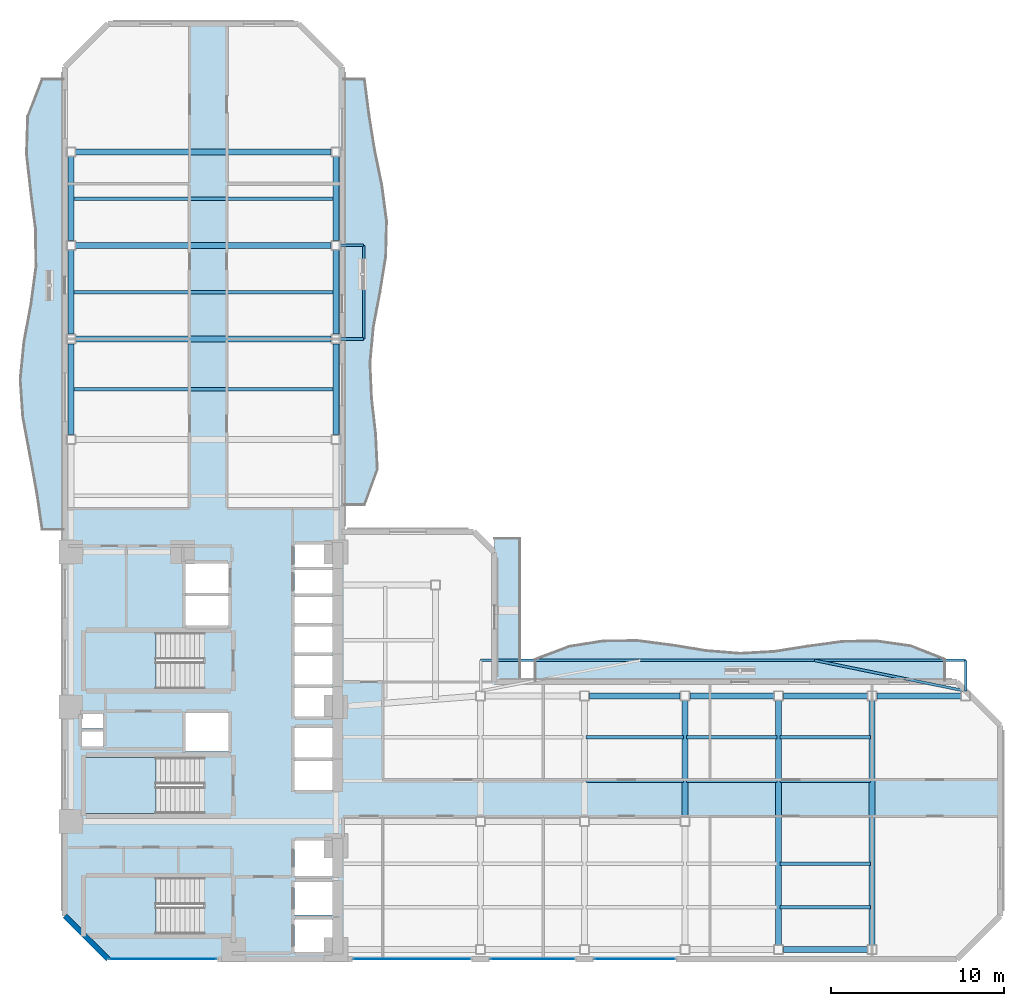
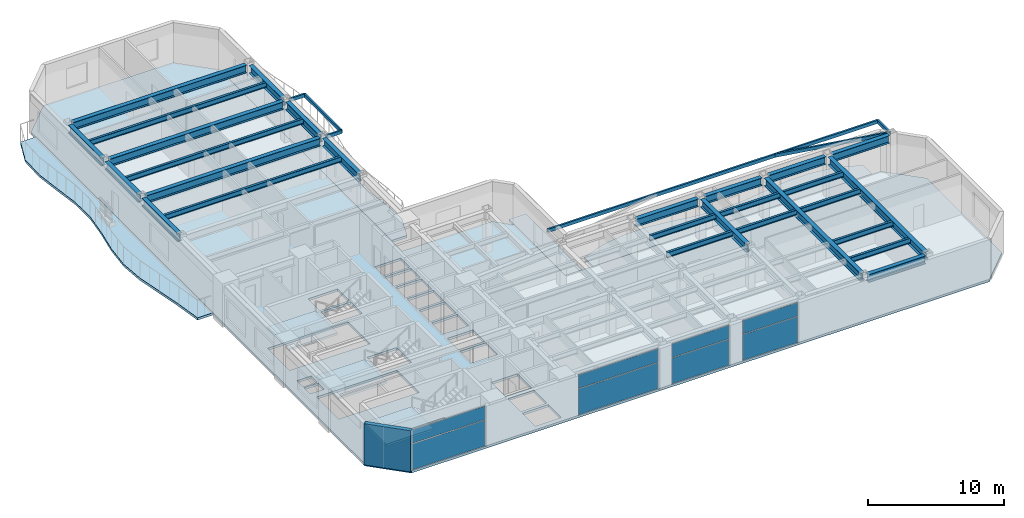
# One storey, part 8 of 17: 34 beams, 8 plates, 8 slabs, 1 wall, 7 elements without a shape of their own.
"""IFC4 building model written with IfcOpenShell, lengths in metres."""

from ifc_helpers import new_model, si_unit, direction, frame, frame_2d, origin, origin_2d, place, context, subcontext, project, spatial, polyline, rectangle, hollow_rectangle, i_section, outline, extrude, material, layer, layer_set, material_profile, profile_set, type_object, element, aggregate, save


model = new_model("IFC4")

# Units and contexts
model_context = context("Model", 3, precision=1e-05, world=origin(), true_north=direction((0.0, 1.0)))
body_context = subcontext(model_context, "Body", "Model", "MODEL_VIEW")
ifc_project = project(units=[si_unit("LENGTHUNIT", "METRE"), si_unit("AREAUNIT", "SQUARE_METRE"), si_unit("VOLUMEUNIT", "CUBIC_METRE"), si_unit("PLANEANGLEUNIT", "RADIAN"), si_unit("MASSUNIT", "GRAM", prefix="KILO")], contexts=[model_context])

# Site, building, storey
site_placement = place(None, origin())
site = spatial("IfcSite", under=ifc_project, at=site_placement, CompositionType="ELEMENT")
building_placement = place(site_placement, origin())
building = spatial("IfcBuilding", under=site, at=building_placement, Name="Mawjaban Terraces University", CompositionType="ELEMENT")
storey_placement = place(building_placement, frame((0.0, 0.0, 85.60009765625)))
storey = spatial("IfcBuildingStorey", under=building, at=storey_placement, Name="L20", CompositionType="ELEMENT", Elevation=85.60009765625)

# Beams
ifc_material_1 = material(Name="Steel EN 10210-1 S355J2H", Category="steel")
ifc_material_profile_1 = material_profile(ifc_material_1, hollow_rectangle(XDim=0.14990234375, YDim=0.300048828125, WallThickness=0.012451171875, at=origin_2d()), Name="RHS300X150X12.5")
ifc_profile_set_1 = profile_set([ifc_material_profile_1], Name="Steel EN 10210-1 S355J2H")
beam_type_1 = type_object("IfcBeamType", Name="BalconyCantileverSpandrel_RHS", PredefinedType="SPANDREL", material=ifc_profile_set_1)
beam_1_placement = place(storey_placement, frame((74.0, 15.47509765625, 3.539794921875), z_axis=(0.0, 1.0, 0.0), x_axis=(-1.0, 0.0, 0.0)))
element("IfcBeam", 1, at=beam_1_placement, inside=storey, type_object=beam_type_1, Name="L20 Exterior Outrigger BAL-L21-N.2", PredefinedType="SPANDREL", context=body_context, shape_type="SweptSolid", body=[
    extrude(hollow_rectangle(XDim=0.14990234375, YDim=0.300048828125, WallThickness=0.012451171875, at=origin_2d()), origin(), (0.0, 0.0, 1.0), 1.77490234375),
])
beam_2_placement = place(storey_placement, frame((46.0, 17.25, 3.539794921875), z_axis=(1.0, 0.0, 0.0), x_axis=(0.0, 1.0, 0.0)))
element("IfcBeam", 2, at=beam_2_placement, inside=storey, type_object=beam_type_1, Name="L20 Exterior Edge Spandrel BAL-L21-N", PredefinedType="SPANDREL", context=body_context, shape_type="SweptSolid", body=[
    extrude(hollow_rectangle(XDim=0.14990234375, YDim=0.300048828125, WallThickness=0.012451171875, at=origin_2d()), origin(), (0.0, 0.0, 1.0), 28.0),
])
beam_3_placement = place(storey_placement, frame((74.0, 15.47509765625, 3.539794921875), z_axis=(-0.979951719054, 0.199235108158, 0.0), x_axis=(-0.199235108158, -0.979951719054, 0.0)))
element("IfcBeam", 3, at=beam_3_placement, inside=storey, type_object=beam_type_1, Name="L20 Exterior Diagonal Strut BAL-L21-N.2", PredefinedType="SPANDREL", context=body_context, shape_type="SweptSolid", body=[
    extrude(hollow_rectangle(XDim=0.14990234375, YDim=0.300048828125, WallThickness=0.012451171875, at=origin_2d()), origin(), (0.0, 0.0, 1.0), 8.90869140625),
])
for number, where, z_axis, x_axis, name in (
    (4, (37.925048828125, 35.800048828125, 3.539794921875), (1.0, 0.0, 0.0), (0.0, 1.0, 0.0), "L20 Exterior Outrigger BAL-L21-E.1"),
    (5, (37.925048828125, 41.199951171875, 3.539794921875), (1.0, 0.0, 0.0), (0.0, 1.0, 0.0), "L20 Exterior Outrigger BAL-L21-E.2"),
):
    element("IfcBeam", number, at=place(storey_placement, frame(where, z_axis=z_axis, x_axis=x_axis)), inside=storey, type_object=beam_type_1, Name=name, PredefinedType="SPANDREL", context=body_context, shape_type="SweptSolid", body=[
        extrude(hollow_rectangle(XDim=0.14990234375, YDim=0.300048828125, WallThickness=0.012451171875, at=origin_2d()), origin(), (0.0, 0.0, 1.0), 1.324951171875),
    ])
beam_4_placement = place(storey_placement, frame((39.25, 35.800048828125, 3.539794921875), z_axis=(0.0, 1.0, 0.0), x_axis=(-1.0, 0.0, 0.0)))
element("IfcBeam", 6, at=beam_4_placement, inside=storey, type_object=beam_type_1, Name="L20 Exterior Edge Spandrel BAL-L21-E", PredefinedType="SPANDREL", context=body_context, shape_type="SweptSolid", body=[
    extrude(hollow_rectangle(XDim=0.14990234375, YDim=0.300048828125, WallThickness=0.012451171875, at=origin_2d()), origin(), (0.0, 0.0, 1.0), 5.39990234375),
])
ifc_material_2 = material(Name="Steel ASTM A572 Grade 50", Category="steel")
ifc_material_profile_2 = material_profile(ifc_material_2, i_section(OverallWidth=0.35498046875, OverallDepth=0.695068359375, WebThickness=0.015380859375, FlangeThickness=0.02490234375, at=origin_2d()), Name="W690X217")
ifc_profile_set_2 = profile_set([ifc_material_profile_2], Name="Steel ASTM A572 Grade 50")
beam_type_2 = type_object("IfcBeamType", Name="Beam_B_W690X217", PredefinedType="BEAM", material=ifc_profile_set_2)
beam_5_placement = place(storey_placement, frame((63.47509765625, 0.550048828125, 3.343017578125), z_axis=(1.0, 0.0, 0.0), x_axis=(0.0, 1.0, 0.0)))
element("IfcBeam", 7, at=beam_5_placement, inside=storey, type_object=beam_type_2, Name="L20 Beam BM-L20-EW-05", PredefinedType="BEAM", context=body_context, shape_type="SweptSolid", body=[
    extrude(i_section(OverallWidth=0.35498046875, OverallDepth=0.695068359375, WebThickness=0.015380859375, FlangeThickness=0.02490234375, at=origin_2d()), origin(), (0.0, 0.0, 1.0), 4.849853515625),
])
beam_6_placement = place(storey_placement, frame((52.27490234375, 15.199951171875, 3.343017578125), z_axis=(1.0, 0.0, 0.0), x_axis=(0.0, 1.0, 0.0)))
element("IfcBeam", 8, at=beam_6_placement, inside=storey, type_object=beam_type_2, Name="L20 Beam BM-L20-EW-10", PredefinedType="BEAM", context=body_context, shape_type="SweptSolid", body=[
    extrude(i_section(OverallWidth=0.35498046875, OverallDepth=0.695068359375, WebThickness=0.015380859375, FlangeThickness=0.02490234375, at=origin_2d()), origin(), (0.0, 0.0, 1.0), 5.25),
])
beam_7_placement = place(storey_placement, frame((58.074951171875, 15.199951171875, 3.343017578125), z_axis=(1.0, 0.0, 0.0), x_axis=(0.0, 1.0, 0.0)))
element("IfcBeam", 9, at=beam_7_placement, inside=storey, type_object=beam_type_2, Name="L20 Beam BM-L20-EW-11", PredefinedType="BEAM", context=body_context, shape_type="SweptSolid", body=[
    extrude(i_section(OverallWidth=0.35498046875, OverallDepth=0.695068359375, WebThickness=0.015380859375, FlangeThickness=0.02490234375, at=origin_2d()), origin(), (0.0, 0.0, 1.0), 4.85009765625),
])
beam_8_placement = place(storey_placement, frame((63.47509765625, 15.199951171875, 3.343017578125), z_axis=(1.0, 0.0, 0.0), x_axis=(0.0, 1.0, 0.0)))
element("IfcBeam", 10, at=beam_8_placement, inside=storey, type_object=beam_type_2, Name="L20 Beam BM-L20-EW-12", PredefinedType="BEAM", context=body_context, shape_type="SweptSolid", body=[
    extrude(i_section(OverallWidth=0.35498046875, OverallDepth=0.695068359375, WebThickness=0.015380859375, FlangeThickness=0.02490234375, at=origin_2d()), origin(), (0.0, 0.0, 1.0), 4.849853515625),
])
beam_9_placement = place(storey_placement, frame((68.875, 15.199951171875, 3.343017578125), z_axis=(1.0, 0.0, 0.0), x_axis=(0.0, 1.0, 0.0)))
element("IfcBeam", 11, at=beam_9_placement, inside=storey, type_object=beam_type_2, Name="L20 Beam BM-L20-EW-13", PredefinedType="BEAM", context=body_context, shape_type="SweptSolid", body=[
    extrude(i_section(OverallWidth=0.35498046875, OverallDepth=0.695068359375, WebThickness=0.015380859375, FlangeThickness=0.02490234375, at=origin_2d()), origin(), (0.0, 0.0, 1.0), 4.85009765625),
])
for number, where, z_axis, x_axis, name in (
    (12, (22.625, 35.800048828125, 3.343017578125), (1.0, 0.0, 0.0), (0.0, 1.0, 0.0), "L20 Beam BM-L20-EW-16"),
    (13, (22.625, 41.199951171875, 3.343017578125), (1.0, 0.0, 0.0), (0.0, 1.0, 0.0), "L20 Beam BM-L20-EW-17"),
    (14, (22.625, 46.60009765625, 3.343017578125), (1.0, 0.0, 0.0), (0.0, 1.0, 0.0), "L20 Beam BM-L20-EW-18"),
):
    element("IfcBeam", number, at=place(storey_placement, frame(where, z_axis=z_axis, x_axis=x_axis)), inside=storey, type_object=beam_type_2, Name=name, PredefinedType="BEAM", context=body_context, shape_type="SweptSolid", body=[
        extrude(i_section(OverallWidth=0.35498046875, OverallDepth=0.695068359375, WebThickness=0.015380859375, FlangeThickness=0.02490234375, at=origin_2d()), origin(), (0.0, 0.0, 1.0), 14.75),
    ])
beam_10_placement = place(storey_placement, frame((22.35009765625, 30.27490234375, 3.343017578125), z_axis=(0.0, 1.0, 0.0), x_axis=(-1.0, 0.0, 0.0)))
element("IfcBeam", 15, at=beam_10_placement, inside=storey, type_object=beam_type_2, Name="L20 Beam BM-L20-NS-04", PredefinedType="BEAM", context=body_context, shape_type="SweptSolid", body=[
    extrude(i_section(OverallWidth=0.35498046875, OverallDepth=0.695068359375, WebThickness=0.015380859375, FlangeThickness=0.02490234375, at=origin_2d()), origin(), (0.0, 0.0, 1.0), 5.25),
])
beam_11_placement = place(storey_placement, frame((22.35009765625, 36.074951171875, 3.343017578125), z_axis=(0.0, 1.0, 0.0), x_axis=(-1.0, 0.0, 0.0)))
element("IfcBeam", 16, at=beam_11_placement, inside=storey, type_object=beam_type_2, Name="L20 Beam BM-L20-NS-05", PredefinedType="BEAM", context=body_context, shape_type="SweptSolid", body=[
    extrude(i_section(OverallWidth=0.35498046875, OverallDepth=0.695068359375, WebThickness=0.015380859375, FlangeThickness=0.02490234375, at=origin_2d()), origin(), (0.0, 0.0, 1.0), 4.85009765625),
])
beam_12_placement = place(storey_placement, frame((22.35009765625, 41.47509765625, 3.343017578125), z_axis=(0.0, 1.0, 0.0), x_axis=(-1.0, 0.0, 0.0)))
element("IfcBeam", 17, at=beam_12_placement, inside=storey, type_object=beam_type_2, Name="L20 Beam BM-L20-NS-06", PredefinedType="BEAM", context=body_context, shape_type="SweptSolid", body=[
    extrude(i_section(OverallWidth=0.35498046875, OverallDepth=0.695068359375, WebThickness=0.015380859375, FlangeThickness=0.02490234375, at=origin_2d()), origin(), (0.0, 0.0, 1.0), 4.849853515625),
])
beam_13_placement = place(storey_placement, frame((37.64990234375, 30.27490234375, 3.343017578125), z_axis=(0.0, 1.0, 0.0), x_axis=(-1.0, 0.0, 0.0)))
element("IfcBeam", 18, at=beam_13_placement, inside=storey, type_object=beam_type_2, Name="L20 Beam BM-L20-NS-11", PredefinedType="BEAM", context=body_context, shape_type="SweptSolid", body=[
    extrude(i_section(OverallWidth=0.35498046875, OverallDepth=0.695068359375, WebThickness=0.015380859375, FlangeThickness=0.02490234375, at=origin_2d()), origin(), (0.0, 0.0, 1.0), 5.25),
])
beam_14_placement = place(storey_placement, frame((37.64990234375, 36.074951171875, 3.343017578125), z_axis=(0.0, 1.0, 0.0), x_axis=(-1.0, 0.0, 0.0)))
element("IfcBeam", 19, at=beam_14_placement, inside=storey, type_object=beam_type_2, Name="L20 Beam BM-L20-NS-12", PredefinedType="BEAM", context=body_context, shape_type="SweptSolid", body=[
    extrude(i_section(OverallWidth=0.35498046875, OverallDepth=0.695068359375, WebThickness=0.015380859375, FlangeThickness=0.02490234375, at=origin_2d()), origin(), (0.0, 0.0, 1.0), 4.85009765625),
])
beam_15_placement = place(storey_placement, frame((37.64990234375, 41.47509765625, 3.343017578125), z_axis=(0.0, 1.0, 0.0), x_axis=(-1.0, 0.0, 0.0)))
element("IfcBeam", 20, at=beam_15_placement, inside=storey, type_object=beam_type_2, Name="L20 Beam BM-L20-NS-13", PredefinedType="BEAM", context=body_context, shape_type="SweptSolid", body=[
    extrude(i_section(OverallWidth=0.35498046875, OverallDepth=0.695068359375, WebThickness=0.015380859375, FlangeThickness=0.02490234375, at=origin_2d()), origin(), (0.0, 0.0, 1.0), 4.849853515625),
])
beam_16_placement = place(storey_placement, frame((57.800048828125, 8.22509765625, 3.343017578125), z_axis=(0.0, 1.0, 0.0), x_axis=(-1.0, 0.0, 0.0)))
element("IfcBeam", 21, at=beam_16_placement, inside=storey, type_object=beam_type_2, Name="L20 Beam BM-L20-NS-19", PredefinedType="BEAM", context=body_context, shape_type="SweptSolid", body=[
    extrude(i_section(OverallWidth=0.35498046875, OverallDepth=0.695068359375, WebThickness=0.015380859375, FlangeThickness=0.02490234375, at=origin_2d()), origin(), (0.0, 0.0, 1.0), 6.699951171875),
])
for number, where, z_axis, x_axis, name in (
    (22, (63.199951171875, 0.824951171875, 3.343017578125), (0.0, 1.0, 0.0), (-1.0, 0.0, 0.0), "L20 Beam BM-L20-NS-20"),
    (23, (68.60009765625, 0.824951171875, 3.343017578125), (0.0, 1.0, 0.0), (-1.0, 0.0, 0.0), "L20 Beam BM-L20-NS-21"),
):
    element("IfcBeam", number, at=place(storey_placement, frame(where, z_axis=z_axis, x_axis=x_axis)), inside=storey, type_object=beam_type_2, Name=name, PredefinedType="BEAM", context=body_context, shape_type="SweptSolid", body=[
        extrude(i_section(OverallWidth=0.35498046875, OverallDepth=0.695068359375, WebThickness=0.015380859375, FlangeThickness=0.02490234375, at=origin_2d()), origin(), (0.0, 0.0, 1.0), 14.10009765625),
    ])
ifc_material_profile_3 = material_profile(ifc_material_2, i_section(OverallWidth=0.19189453125, OverallDepth=0.462890625, WebThickness=0.010498046875, FlangeThickness=0.017578125, at=origin_2d()), Name="W460X89")
ifc_profile_set_3 = profile_set([ifc_material_profile_3], Name="Steel ASTM A572 Grade 50")
beam_type_3 = type_object("IfcBeamType", Name="Beam_J_W460X89", PredefinedType="JOIST", material=ifc_profile_set_3)
for number, where, z_axis, x_axis, name in (
    (24, (63.280029296875, 3.0, 3.458984375), (1.0, 0.0, 0.0), (0.0, 1.0, 0.0), "L20 Composite Joist JST-L20-05"),
    (25, (63.280029296875, 5.5, 3.458984375), (1.0, 0.0, 0.0), (0.0, 1.0, 0.0), "L20 Composite Joist JST-L20-10"),
):
    element("IfcBeam", number, at=place(storey_placement, frame(where, z_axis=z_axis, x_axis=x_axis)), inside=storey, type_object=beam_type_3, Name=name, PredefinedType="JOIST", context=body_context, shape_type="SweptSolid", body=[
        extrude(i_section(OverallWidth=0.19189453125, OverallDepth=0.462890625, WebThickness=0.010498046875, FlangeThickness=0.017578125, at=origin_2d()), origin(), (0.0, 0.0, 1.0), 5.239990234375),
    ])
beam_17_placement = place(storey_placement, frame((52.080078125, 10.300048828125, 3.458984375), z_axis=(1.0, 0.0, 0.0), x_axis=(0.0, 1.0, 0.0)))
element("IfcBeam", 26, at=beam_17_placement, inside=storey, type_object=beam_type_3, Name="L20 Composite Joist JST-L20-13", PredefinedType="JOIST", context=body_context, shape_type="SweptSolid", body=[
    extrude(i_section(OverallWidth=0.19189453125, OverallDepth=0.462890625, WebThickness=0.010498046875, FlangeThickness=0.017578125, at=origin_2d()), origin(), (0.0, 0.0, 1.0), 5.639892578125),
])
beam_18_placement = place(storey_placement, frame((57.8798828125, 10.300048828125, 3.458984375), z_axis=(1.0, 0.0, 0.0), x_axis=(0.0, 1.0, 0.0)))
element("IfcBeam", 27, at=beam_18_placement, inside=storey, type_object=beam_type_3, Name="L20 Composite Joist JST-L20-14", PredefinedType="JOIST", context=body_context, shape_type="SweptSolid", body=[
    extrude(i_section(OverallWidth=0.19189453125, OverallDepth=0.462890625, WebThickness=0.010498046875, FlangeThickness=0.017578125, at=origin_2d()), origin(), (0.0, 0.0, 1.0), 5.240234375),
])
beam_19_placement = place(storey_placement, frame((63.280029296875, 10.300048828125, 3.458984375), z_axis=(1.0, 0.0, 0.0), x_axis=(0.0, 1.0, 0.0)))
element("IfcBeam", 28, at=beam_19_placement, inside=storey, type_object=beam_type_3, Name="L20 Composite Joist JST-L20-15", PredefinedType="JOIST", context=body_context, shape_type="SweptSolid", body=[
    extrude(i_section(OverallWidth=0.19189453125, OverallDepth=0.462890625, WebThickness=0.010498046875, FlangeThickness=0.017578125, at=origin_2d()), origin(), (0.0, 0.0, 1.0), 5.239990234375),
])
beam_20_placement = place(storey_placement, frame((52.080078125, 12.800048828125, 3.458984375), z_axis=(1.0, 0.0, 0.0), x_axis=(0.0, 1.0, 0.0)))
element("IfcBeam", 29, at=beam_20_placement, inside=storey, type_object=beam_type_3, Name="L20 Composite Joist JST-L20-18", PredefinedType="JOIST", context=body_context, shape_type="SweptSolid", body=[
    extrude(i_section(OverallWidth=0.19189453125, OverallDepth=0.462890625, WebThickness=0.010498046875, FlangeThickness=0.017578125, at=origin_2d()), origin(), (0.0, 0.0, 1.0), 5.639892578125),
])
beam_21_placement = place(storey_placement, frame((57.8798828125, 12.800048828125, 3.458984375), z_axis=(1.0, 0.0, 0.0), x_axis=(0.0, 1.0, 0.0)))
element("IfcBeam", 30, at=beam_21_placement, inside=storey, type_object=beam_type_3, Name="L20 Composite Joist JST-L20-19", PredefinedType="JOIST", context=body_context, shape_type="SweptSolid", body=[
    extrude(i_section(OverallWidth=0.19189453125, OverallDepth=0.462890625, WebThickness=0.010498046875, FlangeThickness=0.017578125, at=origin_2d()), origin(), (0.0, 0.0, 1.0), 5.240234375),
])
beam_22_placement = place(storey_placement, frame((63.280029296875, 12.800048828125, 3.458984375), z_axis=(1.0, 0.0, 0.0), x_axis=(0.0, 1.0, 0.0)))
element("IfcBeam", 31, at=beam_22_placement, inside=storey, type_object=beam_type_3, Name="L20 Composite Joist JST-L20-20", PredefinedType="JOIST", context=body_context, shape_type="SweptSolid", body=[
    extrude(i_section(OverallWidth=0.19189453125, OverallDepth=0.462890625, WebThickness=0.010498046875, FlangeThickness=0.017578125, at=origin_2d()), origin(), (0.0, 0.0, 1.0), 5.239990234375),
])
for number, where, z_axis, x_axis, name in (
    (32, (22.429931640625, 32.89990234375, 3.458984375), (1.0, 0.0, 0.0), (0.0, 1.0, 0.0), "L20 Composite Joist JST-L20-23"),
    (33, (22.429931640625, 38.5, 3.458984375), (1.0, 0.0, 0.0), (0.0, 1.0, 0.0), "L20 Composite Joist JST-L20-24"),
    (34, (22.429931640625, 43.89990234375, 3.458984375), (1.0, 0.0, 0.0), (0.0, 1.0, 0.0), "L20 Composite Joist JST-L20-25"),
):
    element("IfcBeam", number, at=place(storey_placement, frame(where, z_axis=z_axis, x_axis=x_axis)), inside=storey, type_object=beam_type_3, Name=name, PredefinedType="JOIST", context=body_context, shape_type="SweptSolid", body=[
        extrude(i_section(OverallWidth=0.19189453125, OverallDepth=0.462890625, WebThickness=0.010498046875, FlangeThickness=0.017578125, at=origin_2d()), origin(), (0.0, 0.0, 1.0), 15.14013671875),
    ])

# Slabs
ifc_material_3 = material(Name="Concrete C40/50", Category="concrete")
ifc_layer_1 = layer(ifc_material_3, 0.2099609375)
ifc_layer_set_1 = layer_set([ifc_layer_1], Name="Concrete C40/50")
slab_type_1 = type_object("IfcSlabType", Name="BalconySlab_210_Ext", PredefinedType="FLOOR", material=ifc_layer_set_1)
slab_1_placement = place(storey_placement, frame((0.0, 0.0, -0.210205078125)))
element("IfcSlab", 35, at=slab_1_placement, inside=storey, type_object=slab_type_1, Name="L20 Planted Balcony Slab west", PredefinedType="FLOOR", context=body_context, shape_type="SweptSolid", body=[
    extrude(outline(polyline([(22.010009765625, 24.800048828125), (22.010009765625, 50.800048828125), (20.699951171875, 50.800048828125), (19.860107421875, 48.633056640625), (19.7958984375, 46.467041015625), (20.0400390625, 44.300048828125), (20.31494140625, 42.133056640625), (20.340087890625, 39.967041015625), (20.050048828125, 37.800048828125), (19.64501953125, 35.633056640625), (19.43310546875, 33.467041015625), (19.580078125, 31.300048828125), (19.986083984375, 29.133056640625), (20.382080078125, 26.967041015625), (20.699951171875, 24.800048828125), (22.010009765625, 24.800048828125)])), origin(), (0.0, 0.0, 1.0), 0.210205078125),
])
slab_2_placement = place(storey_placement, frame((0.0, 0.0, -0.210205078125)))
element("IfcSlab", 36, at=slab_2_placement, inside=storey, type_object=slab_type_1, Name="L20 Planted Balcony Slab inner_north", PredefinedType="FLOOR", context=body_context, shape_type="SweptSolid", body=[
    extrude(outline(polyline([(49.14990234375, 15.989990234375), (72.800048828125, 15.989990234375), (72.800048828125, 17.300048828125), (70.8291015625, 18.074951171875), (68.85791015625, 18.35693359375), (66.886962890625, 18.330078125), (64.9169921875, 18.05810546875), (62.946044921875, 17.7529296875), (60.97509765625, 17.638916015625), (59.00390625, 17.801025390625), (57.032958984375, 18.1240234375), (55.06201171875, 18.375), (53.092041015625, 18.35888671875), (51.12109375, 18.0458984375), (49.14990234375, 17.300048828125), (49.14990234375, 15.989990234375)])), origin(), (0.0, 0.0, 1.0), 0.210205078125),
])
slab_3_placement = place(storey_placement, frame((0.0, 0.0, -0.210205078125)))
element("IfcSlab", 37, at=slab_3_placement, inside=storey, type_object=slab_type_1, Name="L20 Planted Balcony Slab inner_east", PredefinedType="FLOOR", context=body_context, shape_type="SweptSolid", body=[
    extrude(outline(polyline([(39.300048828125, 26.237060546875), (40.044921875, 28.283935546875), (39.947021484375, 30.3310546875), (39.712890625, 32.3779296875), (39.6220703125, 34.425048828125), (39.81396484375, 36.471923828125), (40.199951171875, 38.51806640625), (40.530029296875, 40.56494140625), (40.577880859375, 42.612060546875), (40.30810546875, 44.658935546875), (39.888916015625, 46.7060546875), (39.56201171875, 48.7529296875), (39.300048828125, 50.800048828125), (37.989990234375, 50.800048828125), (37.989990234375, 26.237060546875), (39.300048828125, 26.237060546875)])), origin(), (0.0, 0.0, 1.0), 0.210205078125),
])
ifc_layer_2 = layer(ifc_material_3, 0.2099609375)
ifc_layer_set_2 = layer_set([ifc_layer_2], Name="Concrete C40/50")
slab_type_2 = type_object("IfcSlabType", Name="CompositeSlab_210", PredefinedType="FLOOR", material=ifc_layer_set_2)
slab_4_placement = place(storey_placement, frame((0.0, 0.0, -0.210205078125)))
element("IfcSlab", 38, at=slab_4_placement, inside=storey, type_object=slab_type_2, Name="L20 Primary Structural Slab", PredefinedType="FLOOR", context=body_context, shape_type="SweptSolid", body=[
    extrude(outline(polyline([(24.5, 0.0), (73.5, 0.0), (76.0, 2.5), (76.0, 13.5), (73.5, 16.0), (46.800048828125, 16.0), (46.800048828125, 23.485107421875), (45.60009765625, 24.68505859375), (38.0, 24.68505859375), (38.0, 51.5), (35.5, 54.0), (24.5, 54.0), (22.0, 51.5), (22.0, 2.5), (24.5, 0.0)]), holes=[polyline([(30.014892578125, 4.699951171875), (23.199951171875, 4.699951171875), (23.199951171875, 1.449951171875), (30.014892578125, 1.449951171875), (30.014892578125, 4.699951171875)]), polyline([(30.014892578125, 18.85009765625), (23.199951171875, 18.85009765625), (23.199951171875, 15.60009765625), (30.014892578125, 15.60009765625), (30.014892578125, 18.85009765625)]), polyline([(30.014892578125, 11.64990234375), (23.199951171875, 11.64990234375), (23.199951171875, 8.39990234375), (30.014892578125, 8.39990234375), (30.014892578125, 11.64990234375)]), polyline([(35.25, 0.39990234375), (37.449951171875, 0.39990234375), (37.449951171875, 2.300048828125), (35.25, 2.300048828125), (35.25, 0.39990234375)]), polyline([(35.25, 2.550048828125), (37.449951171875, 2.550048828125), (37.449951171875, 4.449951171875), (35.25, 4.449951171875), (35.25, 2.550048828125)]), polyline([(35.25, 4.800048828125), (37.449951171875, 4.800048828125), (37.449951171875, 6.85009765625), (35.25, 6.85009765625), (35.25, 4.800048828125)]), polyline([(35.25, 9.75), (37.449951171875, 9.75), (37.449951171875, 11.449951171875), (35.25, 11.449951171875), (35.25, 9.75)]), polyline([(35.25, 11.64990234375), (37.449951171875, 11.64990234375), (37.449951171875, 13.35009765625), (35.25, 13.35009765625), (35.25, 11.64990234375)]), polyline([(28.949951171875, 12.0), (31.449951171875, 12.0), (31.449951171875, 14.199951171875), (28.949951171875, 14.199951171875), (28.949951171875, 12.0)]), polyline([(35.25, 14.0), (37.449951171875, 14.0), (37.449951171875, 15.64990234375), (35.25, 15.64990234375), (35.25, 14.0)]), polyline([(35.25, 15.85009765625), (37.449951171875, 15.85009765625), (37.449951171875, 17.5), (35.25, 17.5), (35.25, 15.85009765625)]), polyline([(35.25, 17.699951171875), (37.449951171875, 17.699951171875), (37.449951171875, 19.199951171875), (35.25, 19.199951171875), (35.25, 17.699951171875)]), polyline([(35.25, 19.39990234375), (37.449951171875, 19.39990234375), (37.449951171875, 20.89990234375), (35.25, 20.89990234375), (35.25, 19.39990234375)]), polyline([(28.949951171875, 19.25), (31.449951171875, 19.25), (31.449951171875, 20.949951171875), (28.949951171875, 20.949951171875), (28.949951171875, 19.25)]), polyline([(35.25, 21.10009765625), (37.449951171875, 21.10009765625), (37.449951171875, 22.449951171875), (35.25, 22.449951171875), (35.25, 21.10009765625)]), polyline([(35.25, 22.64990234375), (37.449951171875, 22.64990234375), (37.449951171875, 23.949951171875), (35.25, 23.949951171875), (35.25, 22.64990234375)]), polyline([(28.949951171875, 21.14990234375), (31.449951171875, 21.14990234375), (31.449951171875, 22.85009765625), (28.949951171875, 22.85009765625), (28.949951171875, 21.14990234375)]), polyline([(23.0, 12.25), (24.199951171875, 12.25), (24.199951171875, 13.14990234375), (23.0, 13.14990234375), (23.0, 12.25)]), polyline([(23.0, 13.300048828125), (24.199951171875, 13.300048828125), (24.199951171875, 14.179931640625), (23.0, 14.179931640625), (23.0, 13.300048828125)])]), origin(), (0.0, 0.0, 1.0), 0.210205078125),
])

# Stair, slab
stair_type = type_object("IfcStairType", Name="Stair_Core1550_H39", PredefinedType="HALF_TURN_STAIR", material=ifc_material_3)
stair_1_placement = place(storey_placement, origin())
stair_1 = element("IfcStair", 39, at=stair_1_placement, inside=storey, type_object=stair_type, Name="L20 Core Exit Stair 1", PredefinedType="HALF_TURN_STAIR")
ifc_layer_3 = layer(ifc_material_3, 0.199951171875)
ifc_layer_set_3 = layer_set([ifc_layer_3], Name="Concrete C40/50")
slab_type_3 = type_object("IfcSlabType", Name="StairLandingSlab_200", PredefinedType="LANDING", material=ifc_layer_set_3)
slab_5_placement = place(storey_placement, frame((0.0, 0.0, 1.75)))
slab_5 = element("IfcSlab", 40, at=slab_5_placement, type_object=slab_type_3, Name="ST-1 landing 1", PredefinedType="LANDING", context=body_context, shape_type="SweptSolid", body=[
    extrude(outline(polyline([(27.25, 4.699951171875), (23.199951171875, 4.699951171875), (23.199951171875, 1.449951171875), (27.25, 1.449951171875), (27.25, 4.699951171875)])), origin(), (0.0, 0.0, 1.0), 0.199951171875),
])
aggregate(stair_1, [slab_5])

stair_2_placement = place(storey_placement, origin())
stair_2 = element("IfcStair", 41, at=stair_2_placement, inside=storey, type_object=stair_type, Name="L20 Core Exit Stair 2", PredefinedType="HALF_TURN_STAIR")
slab_6_placement = place(storey_placement, frame((0.0, 0.0, 1.75)))
slab_6 = element("IfcSlab", 42, at=slab_6_placement, type_object=slab_type_3, Name="ST-2 landing 1", PredefinedType="LANDING", context=body_context, shape_type="SweptSolid", body=[
    extrude(outline(polyline([(27.25, 18.85009765625), (23.199951171875, 18.85009765625), (23.199951171875, 15.60009765625), (27.25, 15.60009765625), (27.25, 18.85009765625)])), origin(), (0.0, 0.0, 1.0), 0.199951171875),
])
aggregate(stair_2, [slab_6])

stair_3_placement = place(storey_placement, origin())
stair_3 = element("IfcStair", 43, at=stair_3_placement, inside=storey, type_object=stair_type, Name="L20 Core Exit Stair 3", PredefinedType="HALF_TURN_STAIR")
slab_7_placement = place(storey_placement, frame((0.0, 0.0, 1.75)))
slab_7 = element("IfcSlab", 44, at=slab_7_placement, type_object=slab_type_3, Name="ST-3 landing 1", PredefinedType="LANDING", context=body_context, shape_type="SweptSolid", body=[
    extrude(outline(polyline([(27.25, 11.64990234375), (23.199951171875, 11.64990234375), (23.199951171875, 8.39990234375), (27.25, 8.39990234375), (27.25, 11.64990234375)])), origin(), (0.0, 0.0, 1.0), 0.199951171875),
])
aggregate(stair_3, [slab_7])

# Slab
ifc_layer_4 = layer(ifc_material_3, 0.2099609375)
ifc_layer_set_4 = layer_set([ifc_layer_4], Name="Concrete C40/50")
slab_type_4 = type_object("IfcSlabType", Name="StudyTerraceSlab_210_Ext", PredefinedType="FLOOR", material=ifc_layer_set_4)
slab_8_placement = place(storey_placement, frame((0.0, 0.0, -0.210205078125)))
element("IfcSlab", 45, at=slab_8_placement, inside=storey, type_object=slab_type_4, Name="L20 Exterior Study Terrace Slab", PredefinedType="FLOOR", context=body_context, shape_type="SweptSolid", body=[
    extrude(outline(polyline([(46.800048828125, 16.0), (48.25, 16.0), (48.25, 24.284912109375), (46.800048828125, 24.284912109375), (46.800048828125, 16.0)])), origin(), (0.0, 0.0, 1.0), 0.210205078125),
])

# Curtain wall, plates
ifc_material_4 = material(Name="Anodised aluminium 6063-T6 and solar-control low-E glass", Category="aluminium")
ifc_layer_5 = layer(ifc_material_4, 0.1650390625)
ifc_layer_set_5 = layer_set([ifc_layer_5], Name="Anodised aluminium 6063-T6 and solar-control low-E glass")
curtain_wall_type = type_object("IfcCurtainWallType", Name="CWSystem_04_EastWing", PredefinedType="NOTDEFINED", material=ifc_layer_set_5)
curtain_wall_1_placement = place(storey_placement, origin())
curtain_wall_1 = element("IfcCurtainWall", 46, at=curtain_wall_1_placement, inside=storey, type_object=curtain_wall_type, Name="L20 Curtain Wall CW-04 Run 1.1", PredefinedType="NOTDEFINED")
ifc_material_5 = material(Name="Low-E solar-control double glazing", Category="glass")
ifc_layer_6 = layer(ifc_material_5, 0.028076171875)
ifc_layer_set_6 = layer_set([ifc_layer_6], Name="Low-E solar-control double glazing")
plate_type = type_object("IfcPlateType", Name="VisionPanel_CW-04", PredefinedType="CURTAIN_PANEL", material=ifc_layer_set_6)
plate_1_placement = place(storey_placement, frame((27.64990234375, 0.0, 0.059814453125), z_axis=(0.0, 0.0, 1.0), x_axis=(1.0, 0.0, 0.0)))
plate_1 = element("IfcPlate", 47, at=plate_1_placement, type_object=plate_type, Name="CW-04 panel 1.1", PredefinedType="CURTAIN_PANEL", context=body_context, shape_type="SweptSolid", body=[
    extrude(rectangle(XDim=6.169921875, YDim=0.028076171875, at=origin_2d()), origin(), (0.0, 0.0, 1.0), 2.30908203125),
])
plate_2_placement = place(storey_placement, frame((27.64990234375, 0.0, 2.4287109375), z_axis=(0.0, 0.0, 1.0), x_axis=(1.0, 0.0, 0.0)))
plate_2 = element("IfcPlate", 48, at=plate_2_placement, type_object=plate_type, Name="CW-04 panel 1.2", PredefinedType="CURTAIN_PANEL", context=body_context, shape_type="SweptSolid", body=[
    extrude(rectangle(XDim=6.169921875, YDim=0.028076171875, at=origin_2d()), origin(), (0.0, 0.0, 1.0), 1.200927734375),
])
aggregate(curtain_wall_1, [plate_1, plate_2])

curtain_wall_2_placement = place(storey_placement, origin())
curtain_wall_2 = element("IfcCurtainWall", 49, at=curtain_wall_2_placement, inside=storey, type_object=curtain_wall_type, Name="L20 Curtain Wall CW-04 Run 1.2", PredefinedType="NOTDEFINED")
plate_3_placement = place(storey_placement, frame((42.03759765625, 0.0, 0.059814453125), z_axis=(0.0, 0.0, 1.0), x_axis=(1.0, 0.0, 0.0)))
plate_3 = element("IfcPlate", 50, at=plate_3_placement, type_object=plate_type, Name="CW-04 panel 1.1", PredefinedType="CURTAIN_PANEL", context=body_context, shape_type="SweptSolid", body=[
    extrude(rectangle(XDim=6.7451171875, YDim=0.028076171875, at=origin_2d()), origin(), (0.0, 0.0, 1.0), 2.30908203125),
])
plate_4_placement = place(storey_placement, frame((42.03759765625, 0.0, 2.4287109375), z_axis=(0.0, 0.0, 1.0), x_axis=(1.0, 0.0, 0.0)))
plate_4 = element("IfcPlate", 51, at=plate_4_placement, type_object=plate_type, Name="CW-04 panel 1.2", PredefinedType="CURTAIN_PANEL", context=body_context, shape_type="SweptSolid", body=[
    extrude(rectangle(XDim=6.7451171875, YDim=0.028076171875, at=origin_2d()), origin(), (0.0, 0.0, 1.0), 1.200927734375),
])
aggregate(curtain_wall_2, [plate_3, plate_4])

curtain_wall_3_placement = place(storey_placement, origin())
curtain_wall_3 = element("IfcCurtainWall", 52, at=curtain_wall_3_placement, inside=storey, type_object=curtain_wall_type, Name="L20 Curtain Wall CW-04 Run 1.3", PredefinedType="NOTDEFINED")
plate_5_placement = place(storey_placement, frame((49.0, 0.0, 0.059814453125), z_axis=(0.0, 0.0, 1.0), x_axis=(1.0, 0.0, 0.0)))
plate_5 = element("IfcPlate", 53, at=plate_5_placement, type_object=plate_type, Name="CW-04 panel 1.1", PredefinedType="CURTAIN_PANEL", context=body_context, shape_type="SweptSolid", body=[
    extrude(rectangle(XDim=4.820068359375, YDim=0.028076171875, at=origin_2d()), origin(), (0.0, 0.0, 1.0), 2.30908203125),
])
plate_6_placement = place(storey_placement, frame((49.0, 0.0, 2.4287109375), z_axis=(0.0, 0.0, 1.0), x_axis=(1.0, 0.0, 0.0)))
plate_6 = element("IfcPlate", 54, at=plate_6_placement, type_object=plate_type, Name="CW-04 panel 1.2", PredefinedType="CURTAIN_PANEL", context=body_context, shape_type="SweptSolid", body=[
    extrude(rectangle(XDim=4.820068359375, YDim=0.028076171875, at=origin_2d()), origin(), (0.0, 0.0, 1.0), 1.200927734375),
])
aggregate(curtain_wall_3, [plate_5, plate_6])

curtain_wall_4_placement = place(storey_placement, origin())
curtain_wall_4 = element("IfcCurtainWall", 55, at=curtain_wall_4_placement, inside=storey, type_object=curtain_wall_type, Name="L20 Curtain Wall CW-04 Run 1.4", PredefinedType="NOTDEFINED")
plate_7_placement = place(storey_placement, frame((54.89990234375, 0.0, 0.059814453125), z_axis=(0.0, 0.0, 1.0), x_axis=(1.0, 0.0, 0.0)))
plate_7 = element("IfcPlate", 56, at=plate_7_placement, type_object=plate_type, Name="CW-04 panel 1.1", PredefinedType="CURTAIN_PANEL", context=body_context, shape_type="SweptSolid", body=[
    extrude(rectangle(XDim=4.6201171875, YDim=0.028076171875, at=origin_2d()), origin(), (0.0, 0.0, 1.0), 2.30908203125),
])
plate_8_placement = place(storey_placement, frame((54.89990234375, 0.0, 2.4287109375), z_axis=(0.0, 0.0, 1.0), x_axis=(1.0, 0.0, 0.0)))
plate_8 = element("IfcPlate", 57, at=plate_8_placement, type_object=plate_type, Name="CW-04 panel 1.2", PredefinedType="CURTAIN_PANEL", context=body_context, shape_type="SweptSolid", body=[
    extrude(rectangle(XDim=4.6201171875, YDim=0.028076171875, at=origin_2d()), origin(), (0.0, 0.0, 1.0), 1.200927734375),
])
aggregate(curtain_wall_4, [plate_7, plate_8])

# Wall
ifc_material_6 = material(Name="Insulated terracotta rainscreen on concrete backup C40/50", Category="masonry")
ifc_layer_7 = layer(ifc_material_6, 0.320068359375)
ifc_layer_set_7 = layer_set([ifc_layer_7], Name="Insulated terracotta rainscreen on concrete backup C40/50")
wall_type = type_object("IfcWallType", Name="ExtTerracottaWall_320", PredefinedType="SOLIDWALL", material=ifc_layer_set_7)
wall_placement = place(storey_placement, frame((22.0, 2.5, 0.0), z_axis=(0.0, 0.0, 1.0), x_axis=(0.707106781187, -0.707106781187, 0.0)))
element("IfcWall", 58, at=wall_placement, inside=storey, type_object=wall_type, Name="L20 Exterior Terracotta Wall 14", PredefinedType="SOLIDWALL", context=body_context, shape_type="SweptSolid", body=[
    extrude(rectangle(XDim=3.53564453125, YDim=0.320068359375, at=frame_2d((1.767822265625, 0.0))), origin(), (0.0, 0.0, 1.0), 3.68994140625),
])

save(model, "model.ifc")
